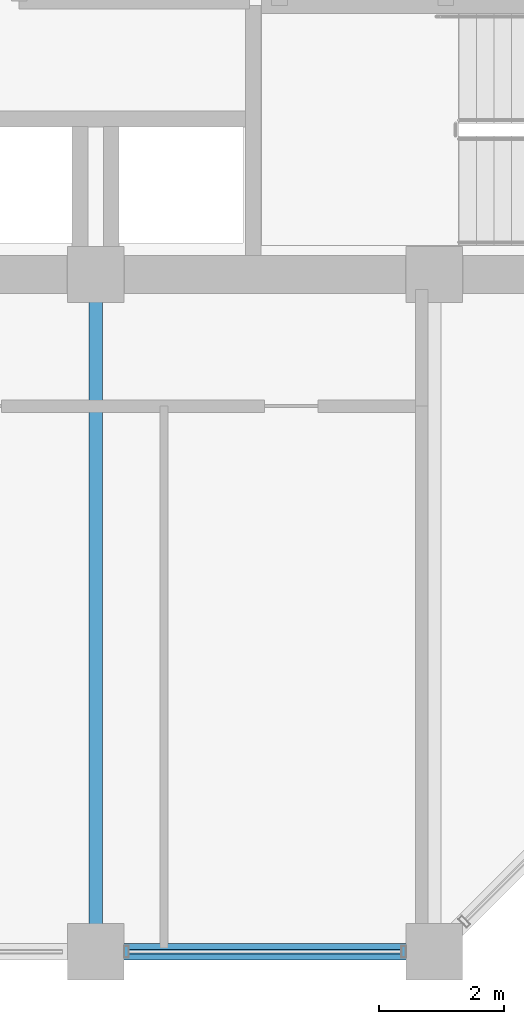
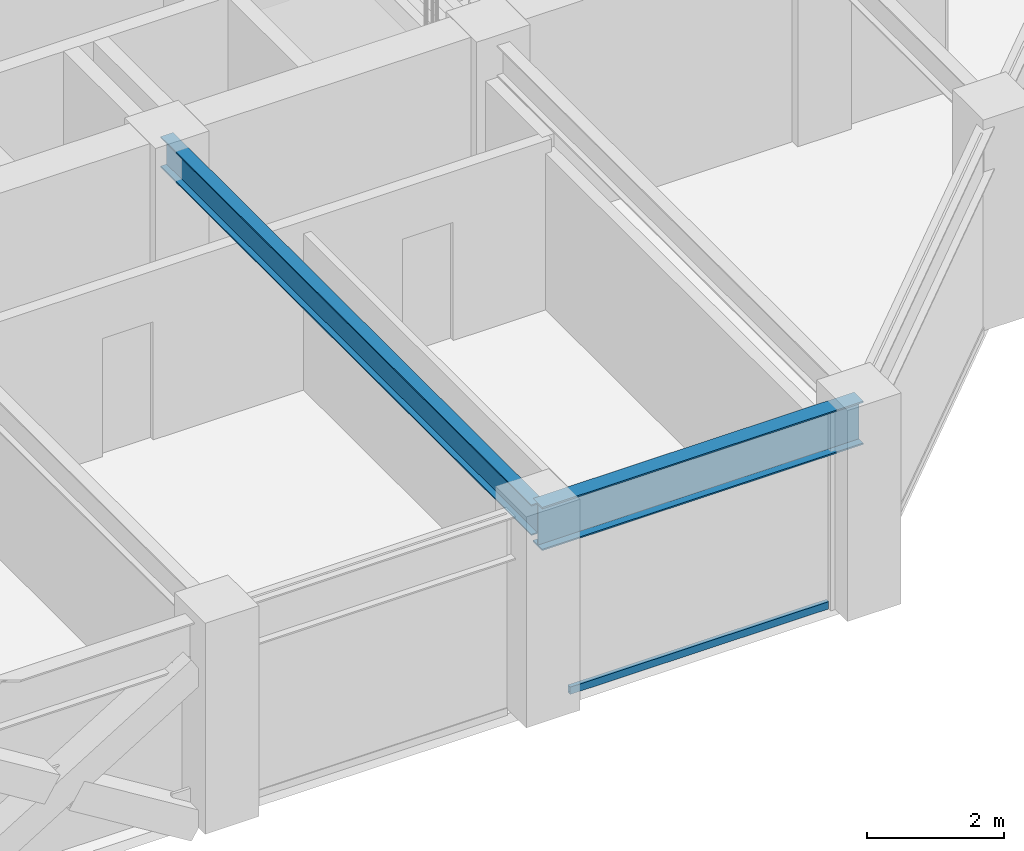
# One storey, part 7 of 32: 2 beams, 1 member, 1 element without a shape of its own.
"""IFC4 building model written with IfcOpenShell, lengths in metres."""

from ifc_helpers import new_model, si_unit, direction, frame, origin, origin_2d, place, context, subcontext, project, spatial, hollow_rectangle, i_section, extrude, material, layer, layer_set, material_profile, profile_set, type_object, element, aggregate, save


model = new_model("IFC4")

# Units and contexts
model_context = context("Model", 3, precision=1e-05, world=origin(), true_north=direction((0.0, 1.0)))
body_context = subcontext(model_context, "Body", "Model", "MODEL_VIEW")
ifc_project = project(units=[si_unit("LENGTHUNIT", "METRE"), si_unit("AREAUNIT", "SQUARE_METRE"), si_unit("VOLUMEUNIT", "CUBIC_METRE"), si_unit("PLANEANGLEUNIT", "RADIAN"), si_unit("MASSUNIT", "GRAM", prefix="KILO")], contexts=[model_context])

# Site, building, storey
site_placement = place(None, origin())
site = spatial("IfcSite", under=ifc_project, at=site_placement, CompositionType="ELEMENT")
building_placement = place(site_placement, origin())
building = spatial("IfcBuilding", under=site, at=building_placement, Name="Surkhivell Harbour Commons", CompositionType="ELEMENT")
storey_placement = place(building_placement, frame((0.0, 0.0, 189.75)))
storey = spatial("IfcBuildingStorey", under=building, at=storey_placement, Name="L49", CompositionType="ELEMENT", Elevation=189.75)

# Beams
ifc_material_1 = material(Name="Steel S355", Category="steel")
ifc_material_profile_1 = material_profile(ifc_material_1, i_section(OverallWidth=0.2119140625, OverallDepth=0.5439453125, WebThickness=0.0126953125, FlangeThickness=0.021240234375, at=origin_2d()), Name="UB533x210x122")
ifc_profile_set_1 = profile_set([ifc_material_profile_1], Name="Steel S355")
beam_type_1 = type_object("IfcBeamType", Name="BM-GRD-533A", PredefinedType="BEAM", material=ifc_profile_set_1)
beam_1_placement = place(storey_placement, frame((0.0, -21.60009765625, 3.298095703125), z_axis=(0.0, 1.0, 0.0), x_axis=(-1.0, 0.0, 0.0)))
element("IfcBeam", 1, at=beam_1_placement, inside=storey, type_object=beam_type_1, Name="L49 Floor Girder (0.0,-21.6)", PredefinedType="BEAM", context=body_context, shape_type="SweptSolid", body=[
    extrude(i_section(OverallWidth=0.2119140625, OverallDepth=0.5439453125, WebThickness=0.0126953125, FlangeThickness=0.021240234375, at=origin_2d()), origin(), (0.0, 0.0, 1.0), 10.800048828125),
])
ifc_material_profile_2 = material_profile(ifc_material_1, i_section(OverallWidth=0.26806640625, OverallDepth=0.77001953125, WebThickness=0.015625, FlangeThickness=0.025390625, at=origin_2d()), Name="UB762x267x197")
ifc_profile_set_2 = profile_set([ifc_material_profile_2], Name="Steel S355")
beam_type_2 = type_object("IfcBeamType", Name="BM-SPN-762", PredefinedType="SPANDREL", material=ifc_profile_set_2)
beam_2_placement = place(storey_placement, frame((0.0, -21.60009765625, 3.18505859375), z_axis=(1.0, 0.0, 0.0), x_axis=(0.0, 1.0, 0.0)))
element("IfcBeam", 2, at=beam_2_placement, inside=storey, type_object=beam_type_2, Name="L49 Tube Spandrel (-0.0,-21.6)", PredefinedType="SPANDREL", context=body_context, shape_type="SweptSolid", body=[
    extrude(i_section(OverallWidth=0.26806640625, OverallDepth=0.77001953125, WebThickness=0.015625, FlangeThickness=0.025390625, at=origin_2d()), origin(), (0.0, 0.0, 1.0), 5.39990234375),
])

# Curtain wall, member
ifc_material_2 = material(Name="Anodised pale-metal aluminium and insulated glazing", Category="aluminium")
ifc_layer = layer(ifc_material_2, 0.18994140625)
ifc_layer_set = layer_set([ifc_layer], Name="Anodised pale-metal aluminium and insulated glazing")
curtain_wall_type = type_object("IfcCurtainWallType", Name="CW-SYS-Z3", PredefinedType="NOTDEFINED", material=ifc_layer_set)
curtain_wall_placement = place(storey_placement, origin())
curtain_wall = element("IfcCurtainWall", 3, at=curtain_wall_placement, inside=storey, type_object=curtain_wall_type, Name="L49 Curtain Wall CW-L49-E00S2", PredefinedType="NOTDEFINED")
ifc_material_3 = material(Name="Champagne anodised aluminium alloy 6063-T6", Category="aluminium")
ifc_material_profile_3 = material_profile(ifc_material_3, hollow_rectangle(XDim=0.070068359375, YDim=0.1298828125, WallThickness=0.00341796875, at=origin_2d()), Name="ALU-TRAN-70x130")
ifc_profile_set_3 = profile_set([ifc_material_profile_3], Name="Champagne anodised aluminium alloy 6063-T6")
member_type = type_object("IfcMemberType", Name="CWT-130", PredefinedType="USERDEFINED", material=ifc_profile_set_3)
member_placement = place(storey_placement, frame((0.527099609375, -21.60009765625, 0.06494140625), z_axis=(1.0, 0.0, 0.0), x_axis=(0.0, 1.0, 0.0)))
member = element("IfcMember", 4, at=member_placement, type_object=member_type, Name="CW-Z3 transom 2.1", ObjectType="TRANSOM", PredefinedType="USERDEFINED", context=body_context, shape_type="SweptSolid", body=[
    extrude(hollow_rectangle(XDim=0.070068359375, YDim=0.1298828125, WallThickness=0.00341796875, at=origin_2d()), origin(), (0.0, 0.0, 1.0), 4.345947265625),
])
aggregate(curtain_wall, [member])

save(model, "model.ifc")
